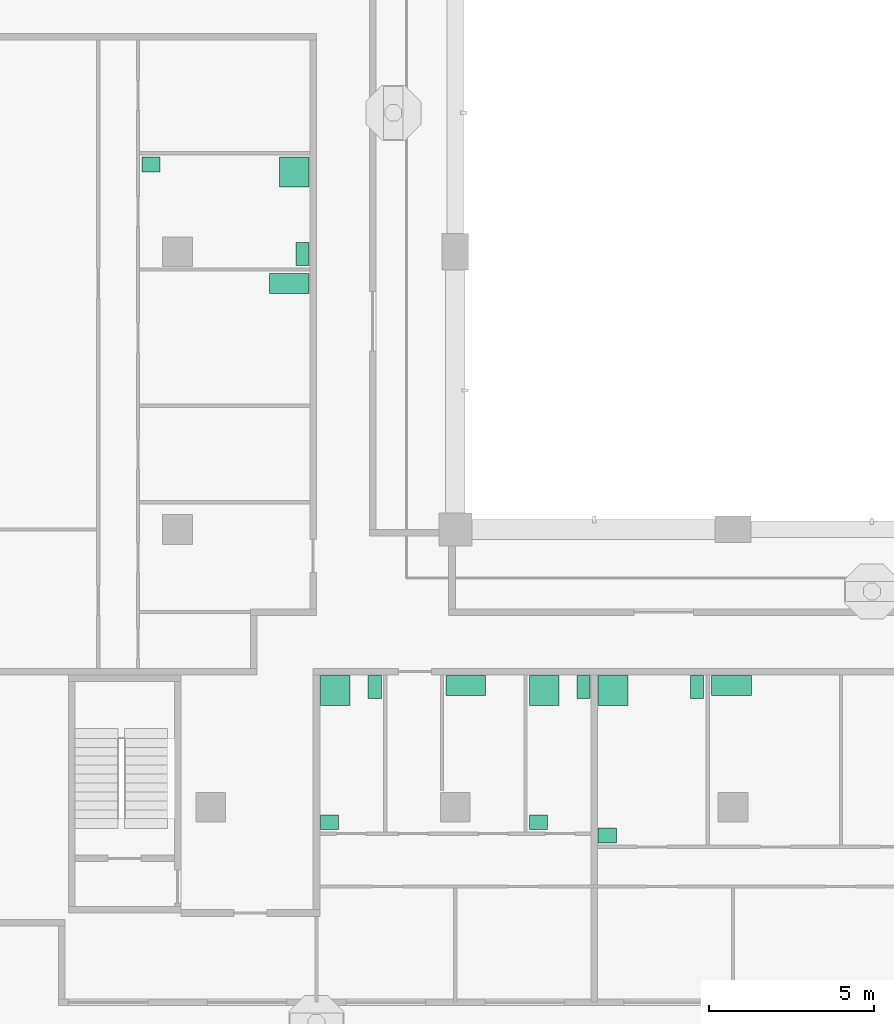
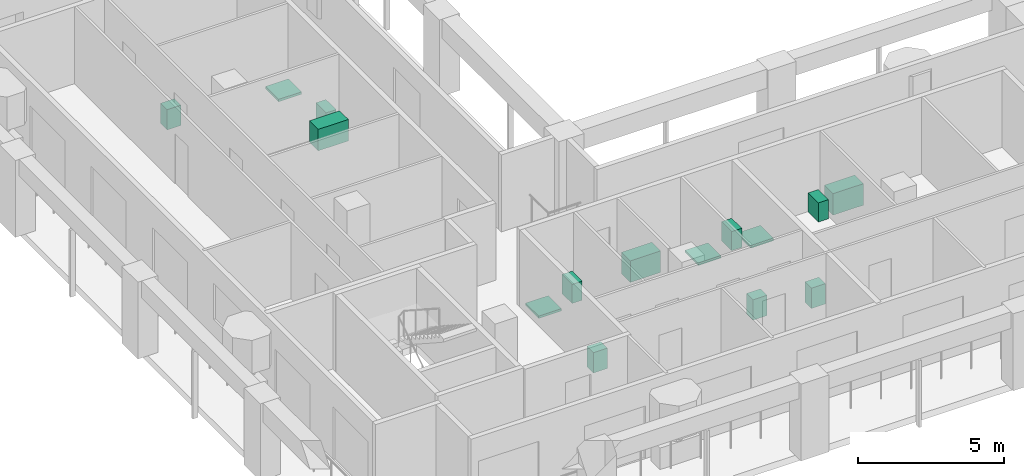
# One storey, part 10 of 12: 15 sanitary terminals.
"""IFC4 building model written with IfcOpenShell, lengths in metres."""

from ifc_helpers import new_model, si_unit, direction, frame, origin, origin_2d, place, context, subcontext, project, spatial, rectangle, extrude, material, element, save


model = new_model("IFC4")

# Units and contexts
model_context = context("Model", 3, precision=1e-05, world=origin(), true_north=direction((0.0, 1.0)))
body_context = subcontext(model_context, "Body", "Model", "MODEL_VIEW")
ifc_project = project(units=[si_unit("LENGTHUNIT", "METRE"), si_unit("AREAUNIT", "SQUARE_METRE"), si_unit("VOLUMEUNIT", "CUBIC_METRE"), si_unit("PLANEANGLEUNIT", "RADIAN"), si_unit("MASSUNIT", "GRAM", prefix="KILO")], contexts=[model_context])

# Site, building, storey
site_placement = place(None, origin())
site = spatial("IfcSite", under=ifc_project, at=site_placement, CompositionType="ELEMENT")
building_placement = place(site_placement, origin())
building = spatial("IfcBuilding", under=site, at=building_placement, Name="Vermilion Gate Residences", CompositionType="ELEMENT")
storey_placement = place(building_placement, frame((0.0, 0.0, 235.199951171875)))
storey = spatial("IfcBuildingStorey", under=building, at=storey_placement, Name="L61", CompositionType="ELEMENT", Elevation=235.199951171875)

# Sanitary terminals
ifc_material_1 = material(Name="Vitreous china")
sanitary_terminal_1_placement = place(storey_placement, frame((21.570068359375, 20.330078125, 0.0), z_axis=(0.0, 0.0, 1.0), x_axis=(1.0, 0.0, 0.0)))
element("IfcSanitaryTerminal", 1, at=sanitary_terminal_1_placement, inside=storey, material=ifc_material_1, Name="Shower tray", PredefinedType="SHOWER", context=body_context, shape_type="SweptSolid", body=[
    extrude(rectangle(XDim=0.89990234375, YDim=0.89990234375, at=origin_2d()), origin(), (0.0, 0.0, 1.0), 0.10009765625),
])
sanitary_terminal_2_placement = place(storey_placement, frame((22.760009765625, 20.429931640625, 0.0), z_axis=(0.0, 0.0, 1.0), x_axis=(1.0, 0.0, 0.0)))
element("IfcSanitaryTerminal", 2, at=sanitary_terminal_2_placement, inside=storey, material=ifc_material_1, Name="Toilet", PredefinedType="TOILETPAN", context=body_context, shape_type="SweptSolid", body=[
    extrude(rectangle(XDim=0.39990234375, YDim=0.699951171875, at=origin_2d()), origin(), (0.0, 0.0, 1.0), 0.800048828125),
])
sanitary_terminal_3_placement = place(storey_placement, frame((21.39501953125, 16.344970703125, 0.0), z_axis=(0.0, 0.0, 1.0), x_axis=(1.0, 0.0, 0.0)))
element("IfcSanitaryTerminal", 3, at=sanitary_terminal_3_placement, inside=storey, material=ifc_material_1, Name="Wash basin", PredefinedType="WASHHANDBASIN", context=body_context, shape_type="SweptSolid", body=[
    extrude(rectangle(XDim=0.550048828125, YDim=0.449951171875, at=origin_2d()), origin(), (0.0, 0.0, 1.0), 0.85009765625),
])
ifc_material_2 = material(Name="Stainless steel", Category="steel")
sanitary_terminal_4_placement = place(storey_placement, frame((25.52001953125, 20.47998046875, 0.0), z_axis=(0.0, 0.0, 1.0), x_axis=(1.0, 0.0, 0.0)))
element("IfcSanitaryTerminal", 4, at=sanitary_terminal_4_placement, inside=storey, material=ifc_material_2, Name="Kitchen sink", PredefinedType="SINK", context=body_context, shape_type="SweptSolid", body=[
    extrude(rectangle(XDim=1.199951171875, YDim=0.60009765625, at=origin_2d()), origin(), (0.0, 0.0, 1.0), 0.89990234375),
])
sanitary_terminal_5_placement = place(storey_placement, frame((27.889892578125, 20.330078125, 0.0), z_axis=(0.0, 0.0, 1.0), x_axis=(1.0, 0.0, 0.0)))
element("IfcSanitaryTerminal", 5, at=sanitary_terminal_5_placement, inside=storey, material=ifc_material_1, Name="Shower tray", PredefinedType="SHOWER", context=body_context, shape_type="SweptSolid", body=[
    extrude(rectangle(XDim=0.89990234375, YDim=0.89990234375, at=origin_2d()), origin(), (0.0, 0.0, 1.0), 0.10009765625),
])
sanitary_terminal_6_placement = place(storey_placement, frame((29.080078125, 20.429931640625, 0.0), z_axis=(0.0, 0.0, 1.0), x_axis=(1.0, 0.0, 0.0)))
element("IfcSanitaryTerminal", 6, at=sanitary_terminal_6_placement, inside=storey, material=ifc_material_1, Name="Toilet", PredefinedType="TOILETPAN", context=body_context, shape_type="SweptSolid", body=[
    extrude(rectangle(XDim=0.39990234375, YDim=0.699951171875, at=origin_2d()), origin(), (0.0, 0.0, 1.0), 0.800048828125),
])
sanitary_terminal_7_placement = place(storey_placement, frame((27.715087890625, 16.344970703125, 0.0), z_axis=(0.0, 0.0, 1.0), x_axis=(1.0, 0.0, 0.0)))
element("IfcSanitaryTerminal", 7, at=sanitary_terminal_7_placement, inside=storey, material=ifc_material_1, Name="Wash basin", PredefinedType="WASHHANDBASIN", context=body_context, shape_type="SweptSolid", body=[
    extrude(rectangle(XDim=0.550048828125, YDim=0.449951171875, at=origin_2d()), origin(), (0.0, 0.0, 1.0), 0.85009765625),
])
sanitary_terminal_8_placement = place(storey_placement, frame((29.969970703125, 20.330078125, 0.0), z_axis=(0.0, 0.0, 1.0), x_axis=(1.0, 0.0, 0.0)))
element("IfcSanitaryTerminal", 8, at=sanitary_terminal_8_placement, inside=storey, material=ifc_material_1, Name="Shower tray", PredefinedType="SHOWER", context=body_context, shape_type="SweptSolid", body=[
    extrude(rectangle(XDim=0.89990234375, YDim=0.89990234375, at=origin_2d()), origin(), (0.0, 0.0, 1.0), 0.10009765625),
])
sanitary_terminal_9_placement = place(storey_placement, frame((32.512939453125, 20.429931640625, 0.0), z_axis=(0.0, 0.0, 1.0), x_axis=(1.0, 0.0, 0.0)))
element("IfcSanitaryTerminal", 9, at=sanitary_terminal_9_placement, inside=storey, material=ifc_material_1, Name="Toilet", PredefinedType="TOILETPAN", context=body_context, shape_type="SweptSolid", body=[
    extrude(rectangle(XDim=0.39990234375, YDim=0.699951171875, at=origin_2d()), origin(), (0.0, 0.0, 1.0), 0.800048828125),
])
sanitary_terminal_10_placement = place(storey_placement, frame((29.794921875, 15.945068359375, 0.0), z_axis=(0.0, 0.0, 1.0), x_axis=(1.0, 0.0, 0.0)))
element("IfcSanitaryTerminal", 10, at=sanitary_terminal_10_placement, inside=storey, material=ifc_material_1, Name="Wash basin", PredefinedType="WASHHANDBASIN", context=body_context, shape_type="SweptSolid", body=[
    extrude(rectangle(XDim=0.550048828125, YDim=0.449951171875, at=origin_2d()), origin(), (0.0, 0.0, 1.0), 0.85009765625),
])
for number, where, z_axis, x_axis, name in (
    (11, (33.552978515625, 20.47998046875, 0.0), (0.0, 0.0, 1.0), (1.0, 0.0, 0.0), "Kitchen sink"),
    (12, (20.179931640625, 32.639892578125, 0.0), (0.0, 0.0, 1.0), (1.0, 0.0, 0.0), "Kitchen sink"),
):
    element("IfcSanitaryTerminal", number, at=place(storey_placement, frame(where, z_axis=z_axis, x_axis=x_axis)), inside=storey, material=ifc_material_2, Name=name, PredefinedType="SINK", context=body_context, shape_type="SweptSolid", body=[
        extrude(rectangle(XDim=1.199951171875, YDim=0.60009765625, at=origin_2d()), origin(), (0.0, 0.0, 1.0), 0.89990234375),
    ])
sanitary_terminal_11_placement = place(storey_placement, frame((20.330078125, 36.010009765625, 0.0), z_axis=(0.0, 0.0, 1.0), x_axis=(1.0, 0.0, 0.0)))
element("IfcSanitaryTerminal", 13, at=sanitary_terminal_11_placement, inside=storey, material=ifc_material_1, Name="Shower tray", PredefinedType="SHOWER", context=body_context, shape_type="SweptSolid", body=[
    extrude(rectangle(XDim=0.89990234375, YDim=0.89990234375, at=origin_2d()), origin(), (0.0, 0.0, 1.0), 0.10009765625),
])
sanitary_terminal_12_placement = place(storey_placement, frame((20.580078125, 33.530029296875, 0.0), z_axis=(0.0, 0.0, 1.0), x_axis=(1.0, 0.0, 0.0)))
element("IfcSanitaryTerminal", 14, at=sanitary_terminal_12_placement, inside=storey, material=ifc_material_1, Name="Toilet", PredefinedType="TOILETPAN", context=body_context, shape_type="SweptSolid", body=[
    extrude(rectangle(XDim=0.39990234375, YDim=0.699951171875, at=origin_2d()), origin(), (0.0, 0.0, 1.0), 0.800048828125),
])
sanitary_terminal_13_placement = place(storey_placement, frame((15.9951171875, 36.235107421875, 0.0), z_axis=(0.0, 0.0, 1.0), x_axis=(1.0, 0.0, 0.0)))
element("IfcSanitaryTerminal", 15, at=sanitary_terminal_13_placement, inside=storey, material=ifc_material_1, Name="Wash basin", PredefinedType="WASHHANDBASIN", context=body_context, shape_type="SweptSolid", body=[
    extrude(rectangle(XDim=0.550048828125, YDim=0.449951171875, at=origin_2d()), origin(), (0.0, 0.0, 1.0), 0.85009765625),
])

save(model, "model.ifc")
